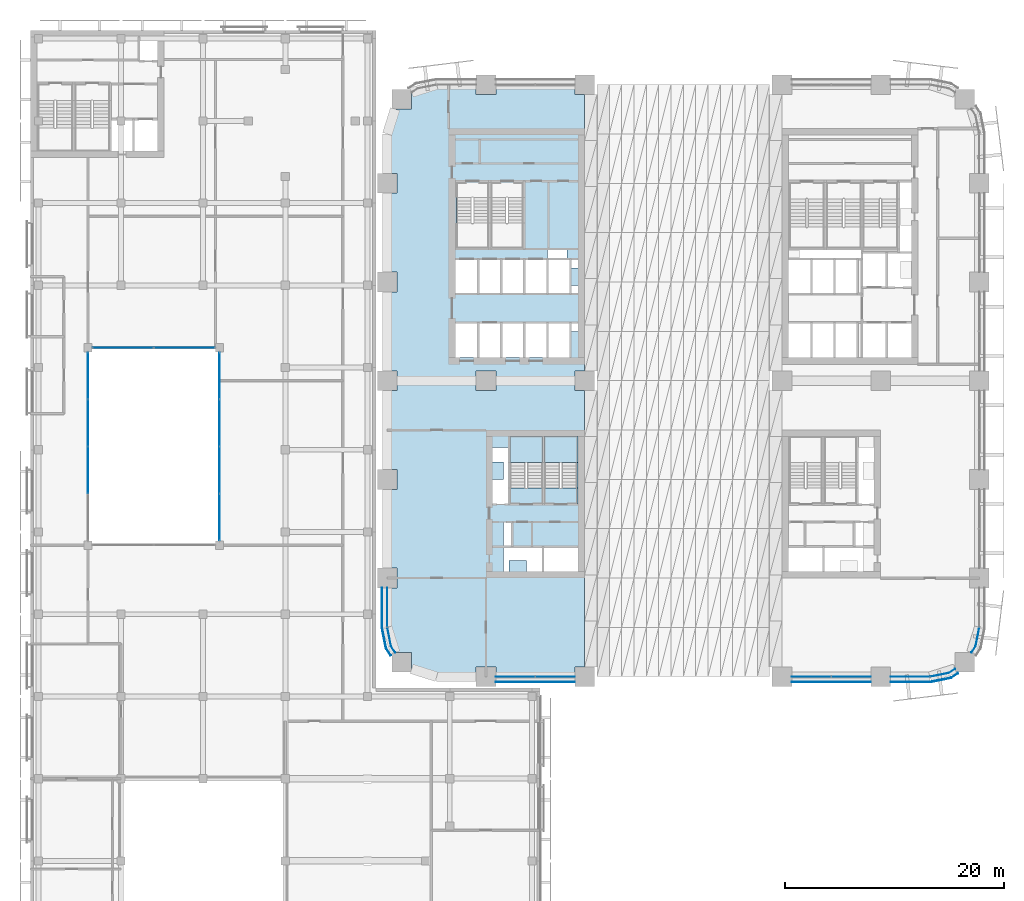
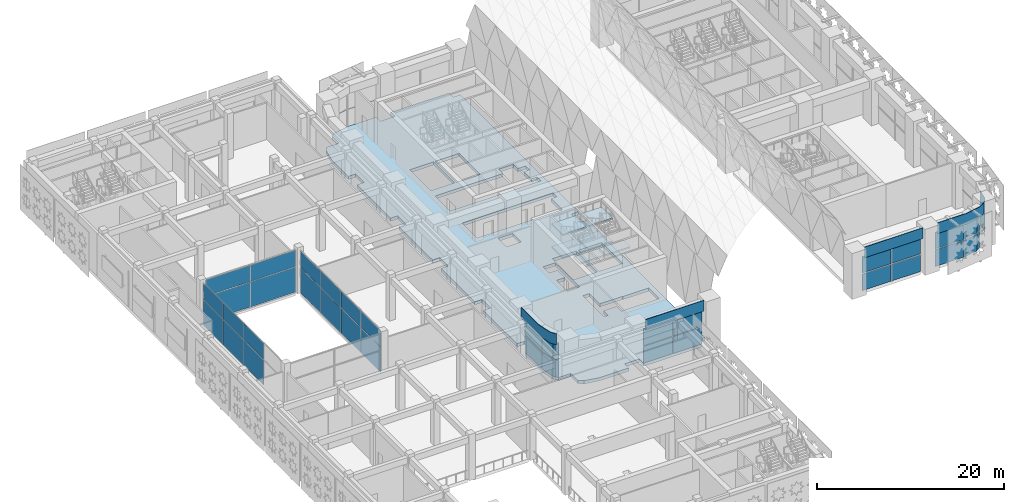
# One storey, part 11 of 46: 40 plates, 7 slabs, 10 elements without a shape of their own.
"""IFC4 building model written with IfcOpenShell, lengths in metres."""

from ifc_helpers import new_model, si_unit, direction, frame, origin, origin_2d, place, context, subcontext, project, spatial, polyline, rectangle, outline, extrude, material, layer, layer_set, type_object, element, aggregate, save


model = new_model("IFC4")

# Units and contexts
model_context = context("Model", 3, precision=1e-05, world=origin(), true_north=direction((0.0, 1.0)))
body_context = subcontext(model_context, "Body", "Model", "MODEL_VIEW")
ifc_project = project(units=[si_unit("LENGTHUNIT", "METRE"), si_unit("AREAUNIT", "SQUARE_METRE"), si_unit("VOLUMEUNIT", "CUBIC_METRE"), si_unit("PLANEANGLEUNIT", "RADIAN"), si_unit("MASSUNIT", "GRAM", prefix="KILO")], contexts=[model_context])

# Site, building, storey
site_placement = place(None, origin())
site = spatial("IfcSite", under=ifc_project, at=site_placement, CompositionType="ELEMENT")
building_placement = place(site_placement, origin())
building = spatial("IfcBuilding", under=site, at=building_placement, Name="Tessera Arch", CompositionType="ELEMENT")
storey_placement = place(building_placement, frame((0.0, 0.0, 8.0)))
storey = spatial("IfcBuildingStorey", under=building, at=storey_placement, Name="L01", CompositionType="ELEMENT", Elevation=8.0)

# Curtain wall, plates
ifc_material_1 = material(Name="CW2 curtain wall")
curtain_wall_type_1 = type_object("IfcCurtainWallType", Name="CW2 curtain wall", PredefinedType="NOTDEFINED", material=ifc_material_1)
curtain_wall_1_placement = place(storey_placement, origin())
curtain_wall_1 = element("IfcCurtainWall", 1, at=curtain_wall_1_placement, inside=storey, type_object=curtain_wall_type_1, Name="CW2 curtain wall W0.0/5 L01", PredefinedType="NOTDEFINED")
ifc_material_2 = material(Name="Clear low-e glass", Category="glass")
ifc_layer_1 = layer(ifc_material_2, 0.028076171875)
ifc_layer_set_1 = layer_set([ifc_layer_1], Name="CW2 glass panel")
plate_type_1 = type_object("IfcPlateType", Name="CW2 glass panel", PredefinedType="CURTAIN_PANEL", material=ifc_layer_set_1)
plate_1_placement = place(storey_placement, frame((0.0, 6.320068359375, 0.0), z_axis=(0.0, 0.0, 1.0), x_axis=(0.0, -1.0, 0.0)))
plate_1 = element("IfcPlate", 2, at=plate_1_placement, type_object=plate_type_1, Name="CW2 glass panel W0.0/5 1.1", PredefinedType="CURTAIN_PANEL", context=body_context, shape_type="SweptSolid", body=[
    extrude(rectangle(XDim=3.56005859375, YDim=0.028076171875, at=origin_2d()), origin(), (0.0, 0.0, 1.0), 2.195068359375),
])
plate_2_placement = place(storey_placement, origin())
plate_2 = element("IfcPlate", 3, at=plate_2_placement, type_object=plate_type_1, Name="CW2 curved glass panel W0.0/5 2.1", PredefinedType="CURTAIN_PANEL", context=body_context, shape_type="SweptSolid", body=[
    extrude(outline(polyline([(0.355712890625, 2.783447265625), (0.021484375, 4.46337890625), (-0.005859375, 4.4580078125), (0.329345703125, 2.7724609375), (0.705078125, 2.210205078125), (0.728271484375, 2.225830078125), (0.355712890625, 2.783447265625)])), origin(), (0.0, 0.0, 1.0), 2.195068359375),
])
plate_3_placement = place(storey_placement, frame((0.0, 6.320068359375, 2.294921875), z_axis=(0.0, 0.0, 1.0), x_axis=(0.0, -1.0, 0.0)))
plate_3 = element("IfcPlate", 4, at=plate_3_placement, type_object=plate_type_1, Name="CW2 glass panel W0.0/5 1.2", PredefinedType="CURTAIN_PANEL", context=body_context, shape_type="SweptSolid", body=[
    extrude(rectangle(XDim=3.56005859375, YDim=0.028076171875, at=origin_2d()), origin(), (0.0, 0.0, 1.0), 2.195068359375),
])
plate_4_placement = place(storey_placement, frame((0.0, 0.0, 2.294921875)))
plate_4 = element("IfcPlate", 5, at=plate_4_placement, type_object=plate_type_1, Name="CW2 curved glass panel W0.0/5 2.2", PredefinedType="CURTAIN_PANEL", context=body_context, shape_type="SweptSolid", body=[
    extrude(outline(polyline([(0.355712890625, 2.783447265625), (0.021484375, 4.46337890625), (-0.005859375, 4.4580078125), (0.329345703125, 2.7724609375), (0.705078125, 2.210205078125), (0.728271484375, 2.225830078125), (0.355712890625, 2.783447265625)])), origin(), (0.0, 0.0, 1.0), 2.195068359375),
])

curtain_wall_2_placement = place(storey_placement, origin())
curtain_wall_2 = element("IfcCurtainWall", 6, at=curtain_wall_2_placement, inside=storey, type_object=curtain_wall_type_1, Name="CW2 curtain wall S0.36/1 L01", PredefinedType="NOTDEFINED")
plate_5_placement = place(storey_placement, frame((47.679931640625, 0.0, 0.0), z_axis=(0.0, 0.0, 1.0), x_axis=(1.0, 0.0, 0.0)))
plate_5 = element("IfcPlate", 7, at=plate_5_placement, type_object=plate_type_1, Name="CW2 glass panel S0.36/1 1.1", PredefinedType="CURTAIN_PANEL", context=body_context, shape_type="SweptSolid", body=[
    extrude(rectangle(XDim=3.56005859375, YDim=0.028076171875, at=origin_2d()), origin(), (0.0, 0.0, 1.0), 2.195068359375),
])
plate_6_placement = place(storey_placement, origin())
plate_6 = element("IfcPlate", 8, at=plate_6_placement, type_object=plate_type_1, Name="CW2 curved glass panel S0.36/1 2.1", PredefinedType="CURTAIN_PANEL", context=body_context, shape_type="SweptSolid", body=[
    extrude(outline(polyline([(51.216552734375, 0.355712890625), (49.53662109375, 0.021484375), (49.5419921875, -0.005859375), (51.2275390625, 0.329345703125), (51.789794921875, 0.705078125), (51.774169921875, 0.728271484375), (51.216552734375, 0.355712890625)])), origin(), (0.0, 0.0, 1.0), 2.195068359375),
])
plate_7_placement = place(storey_placement, frame((47.679931640625, 0.0, 2.294921875), z_axis=(0.0, 0.0, 1.0), x_axis=(1.0, 0.0, 0.0)))
plate_7 = element("IfcPlate", 9, at=plate_7_placement, type_object=plate_type_1, Name="CW2 glass panel S0.36/1 1.2", PredefinedType="CURTAIN_PANEL", context=body_context, shape_type="SweptSolid", body=[
    extrude(rectangle(XDim=3.56005859375, YDim=0.028076171875, at=origin_2d()), origin(), (0.0, 0.0, 1.0), 2.195068359375),
])
plate_8_placement = place(storey_placement, frame((0.0, 0.0, 2.294921875)))
plate_8 = element("IfcPlate", 10, at=plate_8_placement, type_object=plate_type_1, Name="CW2 curved glass panel S0.36/1 2.2", PredefinedType="CURTAIN_PANEL", context=body_context, shape_type="SweptSolid", body=[
    extrude(outline(polyline([(51.216552734375, 0.355712890625), (49.53662109375, 0.021484375), (49.5419921875, -0.005859375), (51.2275390625, 0.329345703125), (51.789794921875, 0.705078125), (51.774169921875, 0.728271484375), (51.216552734375, 0.355712890625)])), origin(), (0.0, 0.0, 1.0), 2.195068359375),
])

curtain_wall_3_placement = place(storey_placement, origin())
curtain_wall_3 = element("IfcCurtainWall", 11, at=curtain_wall_3_placement, inside=storey, type_object=curtain_wall_type_1, Name="CW2 curtain wall E54.0/5 L01", PredefinedType="NOTDEFINED")
plate_9_placement = place(storey_placement, origin())
plate_9 = element("IfcPlate", 12, at=plate_9_placement, type_object=plate_type_1, Name="CW2 curved glass panel E54.0/5 2.1", PredefinedType="CURTAIN_PANEL", context=body_context, shape_type="SweptSolid", body=[
    extrude(outline(polyline([(53.644287109375, 2.783447265625), (53.271728515625, 2.225830078125), (53.294921875, 2.210205078125), (53.670654296875, 2.7724609375), (54.005859375, 4.4580078125), (53.978515625, 4.46337890625), (53.644287109375, 2.783447265625)])), origin(), (0.0, 0.0, 1.0), 2.195068359375),
])
plate_10_placement = place(storey_placement, frame((0.0, 0.0, 2.294921875)))
plate_10 = element("IfcPlate", 13, at=plate_10_placement, type_object=plate_type_1, Name="CW2 curved glass panel E54.0/5 2.2", PredefinedType="CURTAIN_PANEL", context=body_context, shape_type="SweptSolid", body=[
    extrude(outline(polyline([(53.644287109375, 2.783447265625), (53.271728515625, 2.225830078125), (53.294921875, 2.210205078125), (53.670654296875, 2.7724609375), (54.005859375, 4.4580078125), (53.978515625, 4.46337890625), (53.644287109375, 2.783447265625)])), origin(), (0.0, 0.0, 1.0), 2.195068359375),
])
aggregate(curtain_wall_3, [plate_9, plate_10])

# Plate
ifc_material_3 = material(Name="Pale anodised aluminium panel", Category="aluminium")
ifc_layer_2 = layer(ifc_material_3, 0.06005859375)
ifc_layer_set_2 = layer_set([ifc_layer_2], Name="CW2 spandrel panel")
plate_type_2 = type_object("IfcPlateType", Name="CW2 spandrel panel", PredefinedType="CURTAIN_PANEL", material=ifc_layer_set_2)
plate_11_placement = place(storey_placement, frame((0.0, 0.0, 4.590087890625)))
plate_11 = element("IfcPlate", 14, at=plate_11_placement, type_object=plate_type_2, Name="CW2 spandrel panel W0.0/5", PredefinedType="CURTAIN_PANEL", context=body_context, shape_type="SweptSolid", body=[
    extrude(outline(polyline([(-0.449951171875, 4.500732421875), (-0.449951171875, 8.10009765625), (-0.510009765625, 8.10009765625), (-0.510009765625, 4.499267578125), (-0.507568359375, 4.449951171875), (-0.500244140625, 4.401123046875), (-0.157470703125, 2.677734375), (-0.1455078125, 2.6298828125), (-0.128662109375, 2.582763671875), (-0.107177734375, 2.537353515625), (-0.08203125, 2.4951171875), (0.292724609375, 1.9345703125), (0.342529296875, 1.968017578125), (-0.03125, 2.52734375), (-0.05419921875, 2.565673828125), (-0.0732421875, 2.605712890625), (-0.088134765625, 2.647216796875), (-0.09912109375, 2.69091796875), (-0.441162109375, 4.411376953125), (-0.44775390625, 4.455810546875), (-0.449951171875, 4.500732421875)])), origin(), (0.0, 0.0, 1.0), 1.409912109375),
])

aggregate(curtain_wall_1, [plate_1, plate_2, plate_3, plate_4, plate_11])

plate_12_placement = place(storey_placement, frame((0.0, 0.0, 4.590087890625)))
plate_12 = element("IfcPlate", 15, at=plate_12_placement, type_object=plate_type_2, Name="CW2 spandrel panel S0.36/1", PredefinedType="CURTAIN_PANEL", context=body_context, shape_type="SweptSolid", body=[
    extrude(outline(polyline([(49.499267578125, -0.449951171875), (45.89990234375, -0.449951171875), (45.89990234375, -0.510009765625), (49.500732421875, -0.510009765625), (49.550048828125, -0.507568359375), (49.598876953125, -0.500244140625), (51.322265625, -0.157470703125), (51.3701171875, -0.1455078125), (51.417236328125, -0.128662109375), (51.462646484375, -0.107177734375), (51.5048828125, -0.08203125), (52.0654296875, 0.292724609375), (52.031982421875, 0.342529296875), (51.47265625, -0.03125), (51.434326171875, -0.05419921875), (51.394287109375, -0.0732421875), (51.352783203125, -0.088134765625), (51.30908203125, -0.09912109375), (49.588623046875, -0.441162109375), (49.544189453125, -0.44775390625), (49.499267578125, -0.449951171875)])), origin(), (0.0, 0.0, 1.0), 1.409912109375),
])

aggregate(curtain_wall_2, [plate_5, plate_6, plate_7, plate_8, plate_12])

# Curtain wall, plates
ifc_material_4 = material(Name="CW6 curtain wall")
curtain_wall_type_2 = type_object("IfcCurtainWallType", Name="CW6 curtain wall", PredefinedType="NOTDEFINED", material=ifc_material_4)
curtain_wall_4_placement = place(storey_placement, origin())
curtain_wall_4 = element("IfcCurtainWall", 16, at=curtain_wall_4_placement, inside=storey, type_object=curtain_wall_type_2, Name="CW6 curtain wall S0.0/1 L01", PredefinedType="NOTDEFINED")
ifc_material_5 = material(Name="Clear low-e glass", Category="glass")
ifc_layer_3 = layer(ifc_material_5, 0.028076171875)
ifc_layer_set_3 = layer_set([ifc_layer_3], Name="CW6 glass panel")
plate_type_3 = type_object("IfcPlateType", Name="CW6 glass panel", PredefinedType="CURTAIN_PANEL", material=ifc_layer_set_3)
plate_13_placement = place(storey_placement, frame((11.6826171875, 0.0, 0.0), z_axis=(0.0, 0.0, 1.0), x_axis=(1.0, 0.0, 0.0)))
plate_13 = element("IfcPlate", 17, at=plate_13_placement, type_object=plate_type_3, Name="CW6 glass panel S0.0/1 1.1.1", PredefinedType="CURTAIN_PANEL", context=body_context, shape_type="SweptSolid", body=[
    extrude(rectangle(XDim=3.56494140625, YDim=0.028076171875, at=origin_2d()), origin(), (0.0, 0.0, 1.0), 2.175048828125),
])
plate_14_placement = place(storey_placement, frame((11.6826171875, 0.0, 2.294921875), z_axis=(0.0, 0.0, 1.0), x_axis=(1.0, 0.0, 0.0)))
plate_14 = element("IfcPlate", 18, at=plate_14_placement, type_object=plate_type_3, Name="CW6 glass panel S0.0/1 1.1.2", PredefinedType="CURTAIN_PANEL", context=body_context, shape_type="SweptSolid", body=[
    extrude(rectangle(XDim=3.56494140625, YDim=0.028076171875, at=origin_2d()), origin(), (0.0, 0.0, 1.0), 2.175048828125),
])
plate_15_placement = place(storey_placement, frame((15.3173828125, 0.0, 0.0), z_axis=(0.0, 0.0, 1.0), x_axis=(1.0, 0.0, 0.0)))
plate_15 = element("IfcPlate", 19, at=plate_15_placement, type_object=plate_type_3, Name="CW6 glass panel S0.0/1 1.2.1", PredefinedType="CURTAIN_PANEL", context=body_context, shape_type="SweptSolid", body=[
    extrude(rectangle(XDim=3.56494140625, YDim=0.028076171875, at=origin_2d()), origin(), (0.0, 0.0, 1.0), 2.175048828125),
])
plate_16_placement = place(storey_placement, frame((15.3173828125, 0.0, 2.294921875), z_axis=(0.0, 0.0, 1.0), x_axis=(1.0, 0.0, 0.0)))
plate_16 = element("IfcPlate", 20, at=plate_16_placement, type_object=plate_type_3, Name="CW6 glass panel S0.0/1 1.2.2", PredefinedType="CURTAIN_PANEL", context=body_context, shape_type="SweptSolid", body=[
    extrude(rectangle(XDim=3.56494140625, YDim=0.028076171875, at=origin_2d()), origin(), (0.0, 0.0, 1.0), 2.175048828125),
])

curtain_wall_5_placement = place(storey_placement, origin())
curtain_wall_5 = element("IfcCurtainWall", 21, at=curtain_wall_5_placement, inside=storey, type_object=curtain_wall_type_2, Name="CW6 curtain wall S0.36/0 L01", PredefinedType="NOTDEFINED")
plate_17_placement = place(storey_placement, frame((38.6826171875, 0.0, 0.0), z_axis=(0.0, 0.0, 1.0), x_axis=(1.0, 0.0, 0.0)))
plate_17 = element("IfcPlate", 22, at=plate_17_placement, type_object=plate_type_3, Name="CW6 glass panel S0.36/0 1.1.1", PredefinedType="CURTAIN_PANEL", context=body_context, shape_type="SweptSolid", body=[
    extrude(rectangle(XDim=3.56494140625, YDim=0.028076171875, at=origin_2d()), origin(), (0.0, 0.0, 1.0), 2.175048828125),
])
plate_18_placement = place(storey_placement, frame((38.6826171875, 0.0, 2.294921875), z_axis=(0.0, 0.0, 1.0), x_axis=(1.0, 0.0, 0.0)))
plate_18 = element("IfcPlate", 23, at=plate_18_placement, type_object=plate_type_3, Name="CW6 glass panel S0.36/0 1.1.2", PredefinedType="CURTAIN_PANEL", context=body_context, shape_type="SweptSolid", body=[
    extrude(rectangle(XDim=3.56494140625, YDim=0.028076171875, at=origin_2d()), origin(), (0.0, 0.0, 1.0), 2.175048828125),
])
plate_19_placement = place(storey_placement, frame((42.3173828125, 0.0, 0.0), z_axis=(0.0, 0.0, 1.0), x_axis=(1.0, 0.0, 0.0)))
plate_19 = element("IfcPlate", 24, at=plate_19_placement, type_object=plate_type_3, Name="CW6 glass panel S0.36/0 1.2.1", PredefinedType="CURTAIN_PANEL", context=body_context, shape_type="SweptSolid", body=[
    extrude(rectangle(XDim=3.56494140625, YDim=0.028076171875, at=origin_2d()), origin(), (0.0, 0.0, 1.0), 2.175048828125),
])
plate_20_placement = place(storey_placement, frame((42.3173828125, 0.0, 2.294921875), z_axis=(0.0, 0.0, 1.0), x_axis=(1.0, 0.0, 0.0)))
plate_20 = element("IfcPlate", 25, at=plate_20_placement, type_object=plate_type_3, Name="CW6 glass panel S0.36/0 1.2.2", PredefinedType="CURTAIN_PANEL", context=body_context, shape_type="SweptSolid", body=[
    extrude(rectangle(XDim=3.56494140625, YDim=0.028076171875, at=origin_2d()), origin(), (0.0, 0.0, 1.0), 2.175048828125),
])

# Plate
ifc_material_6 = material(Name="Pale anodised aluminium panel", Category="aluminium")
ifc_layer_4 = layer(ifc_material_6, 0.06005859375)
ifc_layer_set_4 = layer_set([ifc_layer_4], Name="CW6 spandrel panel")
plate_type_4 = type_object("IfcPlateType", Name="CW6 spandrel panel", PredefinedType="CURTAIN_PANEL", material=ifc_layer_set_4)
plate_21_placement = place(storey_placement, frame((13.5, -0.47998046875, 4.58984375), z_axis=(0.0, 0.0, 1.0), x_axis=(1.0, 0.0, 0.0)))
plate_21 = element("IfcPlate", 26, at=plate_21_placement, type_object=plate_type_4, Name="CW6 spandrel panel S0.0/1", PredefinedType="CURTAIN_PANEL", context=body_context, shape_type="SweptSolid", body=[
    extrude(rectangle(XDim=7.199951171875, YDim=0.06005859375, at=origin_2d()), origin(), (0.0, 0.0, 1.0), 1.409912109375),
])

aggregate(curtain_wall_4, [plate_13, plate_14, plate_15, plate_16, plate_21])

plate_22_placement = place(storey_placement, frame((40.5, -0.47998046875, 4.58984375), z_axis=(0.0, 0.0, 1.0), x_axis=(1.0, 0.0, 0.0)))
plate_22 = element("IfcPlate", 27, at=plate_22_placement, type_object=plate_type_4, Name="CW6 spandrel panel S0.36/0", PredefinedType="CURTAIN_PANEL", context=body_context, shape_type="SweptSolid", body=[
    extrude(rectangle(XDim=7.199951171875, YDim=0.06005859375, at=origin_2d()), origin(), (0.0, 0.0, 1.0), 1.409912109375),
])

aggregate(curtain_wall_5, [plate_17, plate_18, plate_19, plate_20, plate_22])

# Curtain wall, plates
ifc_material_7 = material(Name="Aluminium and clear glass", Category="aluminium")
ifc_layer_5 = layer(ifc_material_7, 0.1201171875)
ifc_layer_set_5 = layer_set([ifc_layer_5], Name="Courtyard curtain wall")
curtain_wall_type_3 = type_object("IfcCurtainWallType", Name="Courtyard curtain wall", PredefinedType="NOTDEFINED", material=ifc_layer_set_5)
curtain_wall_6_placement = place(storey_placement, origin())
curtain_wall_6 = element("IfcCurtainWall", 28, at=curtain_wall_6_placement, inside=storey, type_object=curtain_wall_type_3, Name="Courtyard curtain wall L01 2", PredefinedType="NOTDEFINED")
ifc_material_8 = material(Name="Clear low-e laminated glass", Category="glass")
ifc_layer_6 = layer(ifc_material_8, 0.028076171875)
ifc_layer_set_6 = layer_set([ifc_layer_6], Name="Courtyard glass panel")
plate_type_5 = type_object("IfcPlateType", Name="Courtyard glass panel", PredefinedType="CURTAIN_PANEL", material=ifc_layer_set_6)
plate_23_placement = place(storey_placement, frame((-15.300048828125, 14.546142578125, 0.06005859375), z_axis=(0.0, 0.0, 1.0), x_axis=(0.0, 1.0, 0.0)))
plate_23 = element("IfcPlate", 29, at=plate_23_placement, type_object=plate_type_5, Name="MCW1 panel 1.1", PredefinedType="CURTAIN_PANEL", context=body_context, shape_type="SweptSolid", body=[
    extrude(rectangle(XDim=4.222412109375, YDim=0.028076171875, at=origin_2d()), origin(), (0.0, 0.0, 1.0), 3.263916015625),
])
plate_24_placement = place(storey_placement, frame((-15.300048828125, 14.546142578125, 3.384033203125), z_axis=(0.0, 0.0, 1.0), x_axis=(0.0, 1.0, 0.0)))
plate_24 = element("IfcPlate", 30, at=plate_24_placement, type_object=plate_type_5, Name="MCW1 panel 1.2", PredefinedType="CURTAIN_PANEL", context=body_context, shape_type="SweptSolid", body=[
    extrude(rectangle(XDim=4.222412109375, YDim=0.028076171875, at=origin_2d()), origin(), (0.0, 0.0, 1.0), 2.14599609375),
])
plate_25_placement = place(storey_placement, frame((-15.300048828125, 18.84375, 0.06005859375), z_axis=(0.0, 0.0, 1.0), x_axis=(0.0, 1.0, 0.0)))
plate_25 = element("IfcPlate", 31, at=plate_25_placement, type_object=plate_type_5, Name="MCW1 panel 2.1", PredefinedType="CURTAIN_PANEL", context=body_context, shape_type="SweptSolid", body=[
    extrude(rectangle(XDim=4.25244140625, YDim=0.028076171875, at=origin_2d()), origin(), (0.0, 0.0, 1.0), 3.263916015625),
])
plate_26_placement = place(storey_placement, frame((-15.300048828125, 18.84375, 3.384033203125), z_axis=(0.0, 0.0, 1.0), x_axis=(0.0, 1.0, 0.0)))
plate_26 = element("IfcPlate", 32, at=plate_26_placement, type_object=plate_type_5, Name="MCW1 panel 2.2", PredefinedType="CURTAIN_PANEL", context=body_context, shape_type="SweptSolid", body=[
    extrude(rectangle(XDim=4.25244140625, YDim=0.028076171875, at=origin_2d()), origin(), (0.0, 0.0, 1.0), 2.14599609375),
])
plate_27_placement = place(storey_placement, frame((-15.300048828125, 23.15625, 0.06005859375), z_axis=(0.0, 0.0, 1.0), x_axis=(0.0, 1.0, 0.0)))
plate_27 = element("IfcPlate", 33, at=plate_27_placement, type_object=plate_type_5, Name="MCW1 panel 3.1", PredefinedType="CURTAIN_PANEL", context=body_context, shape_type="SweptSolid", body=[
    extrude(rectangle(XDim=4.25244140625, YDim=0.028076171875, at=origin_2d()), origin(), (0.0, 0.0, 1.0), 3.263916015625),
])
plate_28_placement = place(storey_placement, frame((-15.300048828125, 23.15625, 3.384033203125), z_axis=(0.0, 0.0, 1.0), x_axis=(0.0, 1.0, 0.0)))
plate_28 = element("IfcPlate", 34, at=plate_28_placement, type_object=plate_type_5, Name="MCW1 panel 3.2", PredefinedType="CURTAIN_PANEL", context=body_context, shape_type="SweptSolid", body=[
    extrude(rectangle(XDim=4.25244140625, YDim=0.028076171875, at=origin_2d()), origin(), (0.0, 0.0, 1.0), 2.14599609375),
])
plate_29_placement = place(storey_placement, frame((-15.300048828125, 27.453857421875, 0.06005859375), z_axis=(0.0, 0.0, 1.0), x_axis=(0.0, 1.0, 0.0)))
plate_29 = element("IfcPlate", 35, at=plate_29_placement, type_object=plate_type_5, Name="MCW1 panel 4.1", PredefinedType="CURTAIN_PANEL", context=body_context, shape_type="SweptSolid", body=[
    extrude(rectangle(XDim=4.222412109375, YDim=0.028076171875, at=origin_2d()), origin(), (0.0, 0.0, 1.0), 3.263916015625),
])
plate_30_placement = place(storey_placement, frame((-15.300048828125, 27.453857421875, 3.384033203125), z_axis=(0.0, 0.0, 1.0), x_axis=(0.0, 1.0, 0.0)))
plate_30 = element("IfcPlate", 36, at=plate_30_placement, type_object=plate_type_5, Name="MCW1 panel 4.2", PredefinedType="CURTAIN_PANEL", context=body_context, shape_type="SweptSolid", body=[
    extrude(rectangle(XDim=4.222412109375, YDim=0.028076171875, at=origin_2d()), origin(), (0.0, 0.0, 1.0), 2.14599609375),
])
aggregate(curtain_wall_6, [plate_23, plate_24, plate_25, plate_26, plate_27, plate_28, plate_29, plate_30])

curtain_wall_7_placement = place(storey_placement, origin())
curtain_wall_7 = element("IfcCurtainWall", 37, at=curtain_wall_7_placement, inside=storey, type_object=curtain_wall_type_3, Name="Courtyard curtain wall L01 3", PredefinedType="NOTDEFINED")
plate_31_placement = place(storey_placement, frame((-18.50244140625, 30.0, 0.06005859375), z_axis=(0.0, 0.0, 1.0), x_axis=(-1.0, 0.0, 0.0)))
plate_31 = element("IfcPlate", 38, at=plate_31_placement, type_object=plate_type_5, Name="MCW1 panel 1.1", PredefinedType="CURTAIN_PANEL", context=body_context, shape_type="SweptSolid", body=[
    extrude(rectangle(XDim=5.534912109375, YDim=0.028076171875, at=origin_2d()), origin(), (0.0, 0.0, 1.0), 3.263916015625),
])
plate_32_placement = place(storey_placement, frame((-18.50244140625, 30.0, 3.384033203125), z_axis=(0.0, 0.0, 1.0), x_axis=(-1.0, 0.0, 0.0)))
plate_32 = element("IfcPlate", 39, at=plate_32_placement, type_object=plate_type_5, Name="MCW1 panel 1.2", PredefinedType="CURTAIN_PANEL", context=body_context, shape_type="SweptSolid", body=[
    extrude(rectangle(XDim=5.534912109375, YDim=0.028076171875, at=origin_2d()), origin(), (0.0, 0.0, 1.0), 2.14599609375),
])
plate_33_placement = place(storey_placement, frame((-24.097412109375, 30.0, 0.06005859375), z_axis=(0.0, 0.0, 1.0), x_axis=(-1.0, 0.0, 0.0)))
plate_33 = element("IfcPlate", 40, at=plate_33_placement, type_object=plate_type_5, Name="MCW1 panel 2.1", PredefinedType="CURTAIN_PANEL", context=body_context, shape_type="SweptSolid", body=[
    extrude(rectangle(XDim=5.534912109375, YDim=0.028076171875, at=origin_2d()), origin(), (0.0, 0.0, 1.0), 3.263916015625),
])
plate_34_placement = place(storey_placement, frame((-24.097412109375, 30.0, 3.384033203125), z_axis=(0.0, 0.0, 1.0), x_axis=(-1.0, 0.0, 0.0)))
plate_34 = element("IfcPlate", 41, at=plate_34_placement, type_object=plate_type_5, Name="MCW1 panel 2.2", PredefinedType="CURTAIN_PANEL", context=body_context, shape_type="SweptSolid", body=[
    extrude(rectangle(XDim=5.534912109375, YDim=0.028076171875, at=origin_2d()), origin(), (0.0, 0.0, 1.0), 2.14599609375),
])
aggregate(curtain_wall_7, [plate_31, plate_32, plate_33, plate_34])

curtain_wall_8_placement = place(storey_placement, origin())
curtain_wall_8 = element("IfcCurtainWall", 42, at=curtain_wall_8_placement, inside=storey, type_object=curtain_wall_type_3, Name="Courtyard curtain wall L01 4", PredefinedType="NOTDEFINED")
plate_35_placement = place(storey_placement, frame((-27.300048828125, 27.453857421875, 0.06005859375), z_axis=(0.0, 0.0, 1.0), x_axis=(0.0, -1.0, 0.0)))
plate_35 = element("IfcPlate", 43, at=plate_35_placement, type_object=plate_type_5, Name="MCW1 panel 1.1", PredefinedType="CURTAIN_PANEL", context=body_context, shape_type="SweptSolid", body=[
    extrude(rectangle(XDim=4.222412109375, YDim=0.028076171875, at=origin_2d()), origin(), (0.0, 0.0, 1.0), 3.263916015625),
])
plate_36_placement = place(storey_placement, frame((-27.300048828125, 27.453857421875, 3.384033203125), z_axis=(0.0, 0.0, 1.0), x_axis=(0.0, -1.0, 0.0)))
plate_36 = element("IfcPlate", 44, at=plate_36_placement, type_object=plate_type_5, Name="MCW1 panel 1.2", PredefinedType="CURTAIN_PANEL", context=body_context, shape_type="SweptSolid", body=[
    extrude(rectangle(XDim=4.222412109375, YDim=0.028076171875, at=origin_2d()), origin(), (0.0, 0.0, 1.0), 2.14599609375),
])
plate_37_placement = place(storey_placement, frame((-27.300048828125, 23.15625, 0.06005859375), z_axis=(0.0, 0.0, 1.0), x_axis=(0.0, -1.0, 0.0)))
plate_37 = element("IfcPlate", 45, at=plate_37_placement, type_object=plate_type_5, Name="MCW1 panel 2.1", PredefinedType="CURTAIN_PANEL", context=body_context, shape_type="SweptSolid", body=[
    extrude(rectangle(XDim=4.25244140625, YDim=0.028076171875, at=origin_2d()), origin(), (0.0, 0.0, 1.0), 3.263916015625),
])
plate_38_placement = place(storey_placement, frame((-27.300048828125, 23.15625, 3.384033203125), z_axis=(0.0, 0.0, 1.0), x_axis=(0.0, -1.0, 0.0)))
plate_38 = element("IfcPlate", 46, at=plate_38_placement, type_object=plate_type_5, Name="MCW1 panel 2.2", PredefinedType="CURTAIN_PANEL", context=body_context, shape_type="SweptSolid", body=[
    extrude(rectangle(XDim=4.25244140625, YDim=0.028076171875, at=origin_2d()), origin(), (0.0, 0.0, 1.0), 2.14599609375),
])
plate_39_placement = place(storey_placement, frame((-27.300048828125, 18.84375, 0.06005859375), z_axis=(0.0, 0.0, 1.0), x_axis=(0.0, -1.0, 0.0)))
plate_39 = element("IfcPlate", 47, at=plate_39_placement, type_object=plate_type_5, Name="MCW1 panel 3.1", PredefinedType="CURTAIN_PANEL", context=body_context, shape_type="SweptSolid", body=[
    extrude(rectangle(XDim=4.25244140625, YDim=0.028076171875, at=origin_2d()), origin(), (0.0, 0.0, 1.0), 3.263916015625),
])
plate_40_placement = place(storey_placement, frame((-27.300048828125, 18.84375, 3.384033203125), z_axis=(0.0, 0.0, 1.0), x_axis=(0.0, -1.0, 0.0)))
plate_40 = element("IfcPlate", 48, at=plate_40_placement, type_object=plate_type_5, Name="MCW1 panel 3.2", PredefinedType="CURTAIN_PANEL", context=body_context, shape_type="SweptSolid", body=[
    extrude(rectangle(XDim=4.25244140625, YDim=0.028076171875, at=origin_2d()), origin(), (0.0, 0.0, 1.0), 2.14599609375),
])
aggregate(curtain_wall_8, [plate_35, plate_36, plate_37, plate_38, plate_39, plate_40])

# Slab
ifc_material_9 = material(Name="Concrete C40/50", Category="concrete")
ifc_layer_7 = layer(ifc_material_9, 0.409912109375)
ifc_layer_set_7 = layer_set([ifc_layer_7], Name="Floor slab 410 Concrete C40/50")
slab_type_1 = type_object("IfcSlabType", Name="Floor slab 410 Concrete C40/50", PredefinedType="FLOOR", material=ifc_layer_set_7)
slab_1_placement = place(storey_placement, frame((0.0, 0.0, -0.409912109375)))
element("IfcSlab", 49, at=slab_1_placement, inside=storey, type_object=slab_type_1, Name="Floor slab L01 1", PredefinedType="FLOOR", context=body_context, shape_type="SweptSolid", body=[
    extrude(outline(polyline([(2.77783203125, 0.342529296875), (2.218017578125, 0.716552734375), (2.218017578125, 2.218017578125), (0.716552734375, 2.218017578125), (0.342529296875, 2.77783203125), (0.0, 4.5), (0.0, 8.10009765625), (0.89990234375, 8.10009765625), (0.89990234375, 9.89990234375), (0.0, 9.89990234375), (0.0, 17.10009765625), (0.89990234375, 17.10009765625), (0.89990234375, 18.89990234375), (0.0, 18.89990234375), (0.0, 26.10009765625), (0.89990234375, 26.10009765625), (0.89990234375, 27.89990234375), (0.0, 27.89990234375), (0.0, 35.10009765625), (0.89990234375, 35.10009765625), (0.89990234375, 36.89990234375), (0.0, 36.89990234375), (0.0, 44.10009765625), (0.89990234375, 44.10009765625), (0.89990234375, 45.89990234375), (0.0, 45.89990234375), (0.0, 49.5), (0.342529296875, 51.22216796875), (0.716552734375, 51.781982421875), (2.218017578125, 51.781982421875), (2.218017578125, 53.283447265625), (2.77783203125, 53.657470703125), (4.5, 54.0), (8.10009765625, 54.0), (8.10009765625, 53.10009765625), (9.89990234375, 53.10009765625), (9.89990234375, 54.0), (17.10009765625, 54.0), (17.10009765625, 53.10009765625), (18.0, 53.10009765625), (18.0, 27.89990234375), (17.10009765625, 27.89990234375), (17.10009765625, 26.10009765625), (18.0, 26.10009765625), (18.0, 0.89990234375), (17.10009765625, 0.89990234375), (17.10009765625, 0.0), (9.89990234375, 0.0), (9.89990234375, 0.89990234375), (8.10009765625, 0.89990234375), (8.10009765625, 0.0), (4.5, 0.0), (2.77783203125, 0.342529296875)]), holes=[polyline([(8.10009765625, 27.89990234375), (8.10009765625, 26.10009765625), (9.89990234375, 26.10009765625), (9.89990234375, 27.89990234375), (8.10009765625, 27.89990234375)]), polyline([(6.199951171875, 32.300048828125), (6.199951171875, 29.10009765625), (8.300048828125, 29.10009765625), (10.39990234375, 29.10009765625), (12.5, 29.10009765625), (14.60009765625, 29.10009765625), (16.699951171875, 29.10009765625), (16.699951171875, 31.5), (17.39990234375, 31.5), (17.39990234375, 32.300048828125), (16.699951171875, 32.300048828125), (14.60009765625, 32.300048828125), (12.5, 32.300048828125), (10.39990234375, 32.300048828125), (8.300048828125, 32.300048828125), (6.199951171875, 32.300048828125)]), polyline([(10.39990234375, 34.89990234375), (12.5, 34.89990234375), (14.60009765625, 34.89990234375), (16.699951171875, 34.89990234375), (17.39990234375, 34.89990234375), (17.39990234375, 35.699951171875), (16.699951171875, 35.699951171875), (16.699951171875, 37.300048828125), (17.39990234375, 37.300048828125), (17.39990234375, 38.10009765625), (16.699951171875, 38.10009765625), (16.39990234375, 38.10009765625), (16.39990234375, 39.0), (14.60009765625, 39.0), (14.60009765625, 38.10009765625), (12.5, 38.10009765625), (10.39990234375, 38.10009765625), (8.300048828125, 38.10009765625), (6.199951171875, 38.10009765625), (6.199951171875, 34.89990234375), (8.300048828125, 34.89990234375), (10.39990234375, 34.89990234375)]), polyline([(7.85009765625, 43.68994140625), (7.85009765625, 43.699951171875), (7.699951171875, 43.699951171875), (7.699951171875, 43.68994140625), (6.300048828125, 43.68994140625), (6.300048828125, 39.199951171875), (9.25, 39.199951171875), (9.25, 43.68994140625), (7.85009765625, 43.68994140625)]), polyline([(12.699951171875, 10.60009765625), (12.699951171875, 9.60009765625), (14.199951171875, 9.60009765625), (17.39990234375, 9.60009765625), (17.39990234375, 11.85009765625), (14.199951171875, 11.85009765625), (14.199951171875, 11.89990234375), (11.39990234375, 11.89990234375), (11.39990234375, 14.10009765625), (10.60009765625, 14.10009765625), (10.60009765625, 11.89990234375), (10.60009765625, 9.60009765625), (11.10009765625, 9.60009765625), (11.10009765625, 10.60009765625), (12.699951171875, 10.60009765625)]), polyline([(9.60009765625, 20.89990234375), (9.60009765625, 19.60009765625), (10.60009765625, 19.60009765625), (10.60009765625, 18.0), (9.60009765625, 18.0), (9.60009765625, 15.699951171875), (11.10009765625, 15.699951171875), (11.10009765625, 20.89990234375), (9.60009765625, 20.89990234375)]), polyline([(12.60009765625, 17.2099609375), (12.60009765625, 17.199951171875), (12.75, 17.199951171875), (12.75, 17.2099609375), (14.14990234375, 17.2099609375), (14.14990234375, 21.699951171875), (11.199951171875, 21.699951171875), (11.199951171875, 17.2099609375), (12.60009765625, 17.2099609375)]), polyline([(15.75, 17.2099609375), (15.75, 17.199951171875), (15.89990234375, 17.199951171875), (15.89990234375, 17.2099609375), (17.300048828125, 17.2099609375), (17.300048828125, 21.699951171875), (14.35009765625, 21.699951171875), (14.35009765625, 17.2099609375), (15.75, 17.2099609375)]), polyline([(11.0, 43.699951171875), (10.85009765625, 43.699951171875), (10.85009765625, 43.68994140625), (9.449951171875, 43.68994140625), (9.449951171875, 39.199951171875), (12.39990234375, 39.199951171875), (12.39990234375, 43.68994140625), (11.0, 43.68994140625), (11.0, 43.699951171875)])]), origin(), (0.0, 0.0, 1.0), 0.409912109375),
])

# Stair, slabs
ifc_material_10 = material(Name="Concrete C40/50", Category="concrete")
stair_type = type_object("IfcStairType", Name="Dogleg stair 1400", PredefinedType="HALF_TURN_STAIR", material=ifc_material_10)
stair_1_placement = place(storey_placement, origin())
stair_1 = element("IfcStair", 50, at=stair_1_placement, inside=storey, type_object=stair_type, Name="L01 S4a", PredefinedType="HALF_TURN_STAIR")
ifc_material_11 = material(Name="Concrete C40/50", Category="concrete")
ifc_layer_8 = layer(ifc_material_11, 0.300048828125)
ifc_layer_set_8 = layer_set([ifc_layer_8], Name="Stair landing 300")
slab_type_2 = type_object("IfcSlabType", Name="Stair landing 300", PredefinedType="LANDING", material=ifc_layer_set_8)
slab_2_placement = place(storey_placement, frame((0.0, 0.0, 1.300048828125)))
slab_2 = element("IfcSlab", 51, at=slab_2_placement, type_object=slab_type_2, Name="S4a landing 1", PredefinedType="LANDING", context=body_context, shape_type="SweptSolid", body=[
    extrude(outline(polyline([(17.39990234375, 19.52001953125), (17.39990234375, 21.89990234375), (14.35009765625, 21.89990234375), (14.35009765625, 19.52001953125), (17.39990234375, 19.52001953125)])), origin(), (0.0, 0.0, 1.0), 0.199951171875),
])
slab_3_placement = place(storey_placement, frame((0.0, 0.0, 2.800048828125)))
slab_3 = element("IfcSlab", 52, at=slab_3_placement, type_object=slab_type_2, Name="S4a landing 2", PredefinedType="LANDING", context=body_context, shape_type="SweptSolid", body=[
    extrude(outline(polyline([(17.39990234375, 15.800048828125), (17.39990234375, 17.199951171875), (14.35009765625, 17.199951171875), (14.35009765625, 15.800048828125), (17.39990234375, 15.800048828125)])), origin(), (0.0, 0.0, 1.0), 0.199951171875),
])
slab_4_placement = place(storey_placement, frame((0.0, 0.0, 4.300048828125)))
slab_4 = element("IfcSlab", 53, at=slab_4_placement, type_object=slab_type_2, Name="S4a landing 3", PredefinedType="LANDING", context=body_context, shape_type="SweptSolid", body=[
    extrude(outline(polyline([(17.39990234375, 19.52001953125), (17.39990234375, 21.89990234375), (14.35009765625, 21.89990234375), (14.35009765625, 19.52001953125), (17.39990234375, 19.52001953125)])), origin(), (0.0, 0.0, 1.0), 0.199951171875),
])
aggregate(stair_1, [slab_2, slab_3, slab_4])

stair_2_placement = place(storey_placement, origin())
stair_2 = element("IfcStair", 54, at=stair_2_placement, inside=storey, type_object=stair_type, Name="L01 S4b", PredefinedType="HALF_TURN_STAIR")
slab_5_placement = place(storey_placement, frame((0.0, 0.0, 1.300048828125)))
slab_5 = element("IfcSlab", 55, at=slab_5_placement, type_object=slab_type_2, Name="S4b landing 1", PredefinedType="LANDING", context=body_context, shape_type="SweptSolid", body=[
    extrude(outline(polyline([(14.14990234375, 19.52001953125), (14.14990234375, 21.89990234375), (11.199951171875, 21.89990234375), (11.199951171875, 19.52001953125), (14.14990234375, 19.52001953125)])), origin(), (0.0, 0.0, 1.0), 0.199951171875),
])
slab_6_placement = place(storey_placement, frame((0.0, 0.0, 2.800048828125)))
slab_6 = element("IfcSlab", 56, at=slab_6_placement, type_object=slab_type_2, Name="S4b landing 2", PredefinedType="LANDING", context=body_context, shape_type="SweptSolid", body=[
    extrude(outline(polyline([(14.14990234375, 15.800048828125), (14.14990234375, 17.199951171875), (11.199951171875, 17.199951171875), (11.199951171875, 15.800048828125), (14.14990234375, 15.800048828125)])), origin(), (0.0, 0.0, 1.0), 0.199951171875),
])
slab_7_placement = place(storey_placement, frame((0.0, 0.0, 4.300048828125)))
slab_7 = element("IfcSlab", 57, at=slab_7_placement, type_object=slab_type_2, Name="S4b landing 3", PredefinedType="LANDING", context=body_context, shape_type="SweptSolid", body=[
    extrude(outline(polyline([(14.14990234375, 19.52001953125), (14.14990234375, 21.89990234375), (11.199951171875, 21.89990234375), (11.199951171875, 19.52001953125), (14.14990234375, 19.52001953125)])), origin(), (0.0, 0.0, 1.0), 0.199951171875),
])
aggregate(stair_2, [slab_5, slab_6, slab_7])

save(model, "model.ifc")
